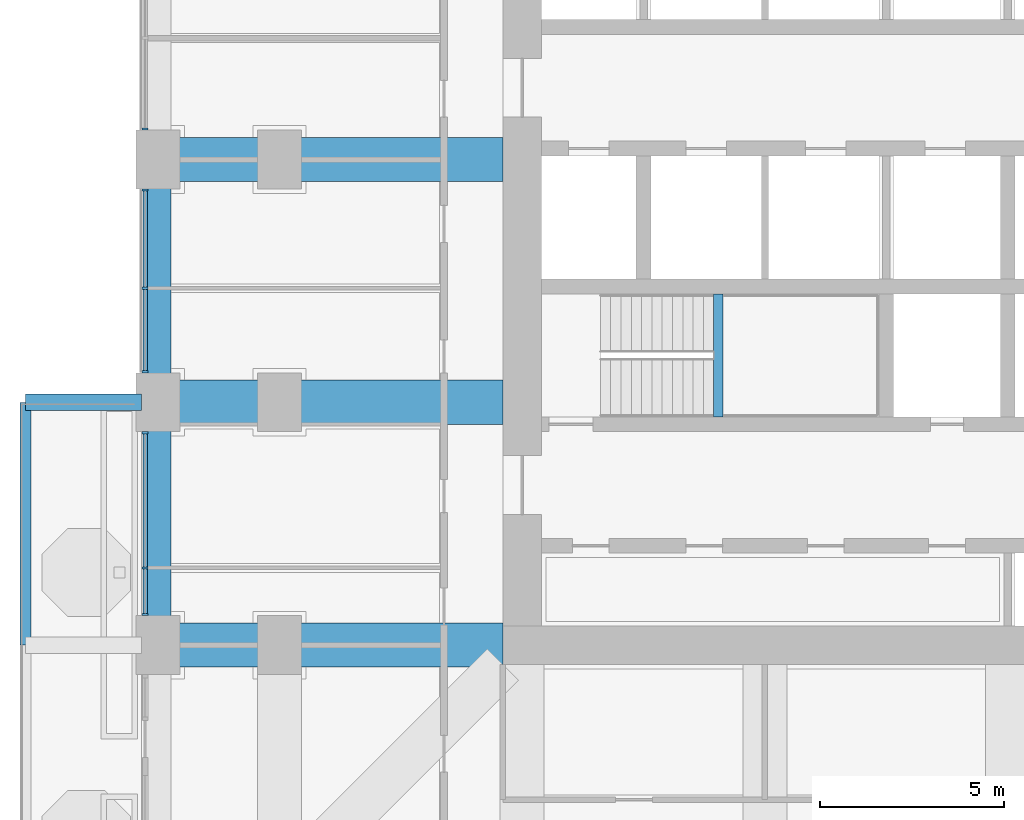
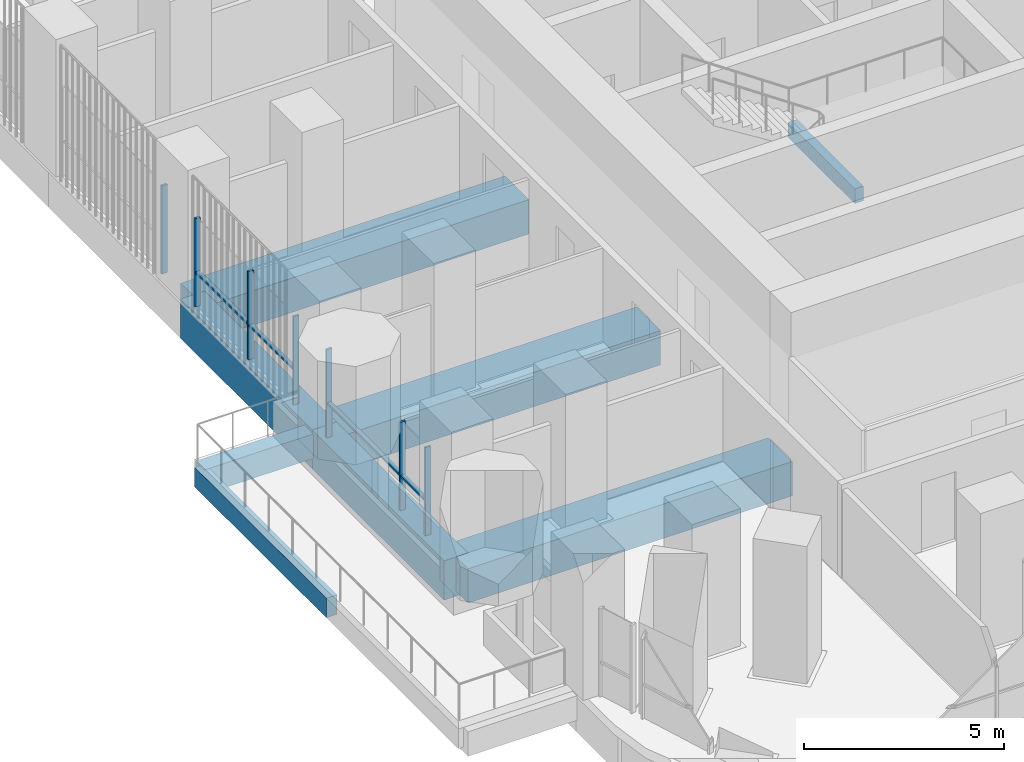
# One storey, part 4 of 21: 11 members, 8 beams, 3 elements without a shape of their own.
"""IFC4 building model written with IfcOpenShell, lengths in metres."""

from ifc_helpers import new_model, si_unit, direction, frame, origin, origin_2d, place, context, subcontext, project, spatial, rectangle, extrude, material, material_profile, profile_set, type_object, element, aggregate, save


model = new_model("IFC4")

# Units and contexts
model_context = context("Model", 3, precision=1e-05, world=origin(), true_north=direction((0.0, 1.0)))
body_context = subcontext(model_context, "Body", "Model", "MODEL_VIEW")
ifc_project = project(units=[si_unit("LENGTHUNIT", "METRE"), si_unit("AREAUNIT", "SQUARE_METRE"), si_unit("VOLUMEUNIT", "CUBIC_METRE"), si_unit("PLANEANGLEUNIT", "RADIAN"), si_unit("MASSUNIT", "GRAM", prefix="KILO")], contexts=[model_context])

# Site, building, storey
site_placement = place(None, origin())
site = spatial("IfcSite", under=ifc_project, at=site_placement, CompositionType="ELEMENT")
building_placement = place(site_placement, origin())
building = spatial("IfcBuilding", under=site, at=building_placement, Name="Cobogo Forest Laboratory Tower", CompositionType="ELEMENT")
storey_placement = place(building_placement, frame((0.0, 0.0, 90.60009765625)))
storey = spatial("IfcBuildingStorey", under=building, at=storey_placement, Name="L20", CompositionType="ELEMENT", Elevation=90.60009765625)

# Beams
ifc_material_1 = material(Name="Concrete HA-40 (C40/50)", Category="concrete")
ifc_material_profile_1 = material_profile(ifc_material_1, rectangle(XDim=0.449951171875, YDim=0.75, at=origin_2d()), Name="RC 450x750")
ifc_profile_set_1 = profile_set([ifc_material_profile_1], Name="Concrete HA-40 (C40/50)")
beam_type_1 = type_object("IfcBeamType", Name="Balcony cantilever beam 450x750", PredefinedType="BEAM", material=ifc_profile_set_1)
beam_1_placement = place(storey_placement, frame((2.85009765625, 19.800048828125, -0.625), z_axis=(-1.0, 0.0, 0.0), x_axis=(0.0, -1.0, 0.0)))
element("IfcBeam", 1, at=beam_1_placement, inside=storey, type_object=beam_type_1, Name="CB1 BAL-W1-C3 L20", PredefinedType="BEAM", context=body_context, shape_type="SweptSolid", body=[
    extrude(rectangle(XDim=0.449951171875, YDim=0.75, at=origin_2d()), origin(), (0.0, 0.0, 1.0), 3.150146484375),
])
ifc_material_profile_2 = material_profile(ifc_material_1, rectangle(XDim=0.300048828125, YDim=0.60009765625, at=origin_2d()), Name="RC 300x600")
ifc_profile_set_2 = profile_set([ifc_material_profile_2], Name="Concrete HA-40 (C40/50)")
beam_type_2 = type_object("IfcBeamType", Name="Balcony edge beam 300x600", PredefinedType="BEAM", material=ifc_profile_set_2)
beam_2_placement = place(storey_placement, frame((-0.300048828125, 13.199951171875, -0.550048828125), z_axis=(0.0, 1.0, 0.0), x_axis=(-1.0, 0.0, 0.0)))
element("IfcBeam", 2, at=beam_2_placement, inside=storey, type_object=beam_type_2, Name="BB1 BAL-W1-T2 L20", PredefinedType="BEAM", context=body_context, shape_type="SweptSolid", body=[
    extrude(rectangle(XDim=0.300048828125, YDim=0.60009765625, at=origin_2d()), origin(), (0.0, 0.0, 1.0), 6.60009765625),
])
ifc_material_profile_3 = material_profile(ifc_material_1, rectangle(XDim=0.25, YDim=0.449951171875, at=origin_2d()), Name="RC 250x450")
ifc_profile_set_3 = profile_set([ifc_material_profile_3], Name="Concrete HA-40 (C40/50)")
beam_type_3 = type_object("IfcBeamType", Name="LB1 landing beam 250x450", PredefinedType="BEAM", material=ifc_profile_set_3)
beam_3_placement = place(storey_placement, frame((18.530029296875, 19.39990234375, 1.6748046875), z_axis=(0.0, 1.0, 0.0), x_axis=(-1.0, 0.0, 0.0)))
element("IfcBeam", 3, at=beam_3_placement, inside=storey, type_object=beam_type_3, Name="Landing beam ST1 L20", PredefinedType="BEAM", context=body_context, shape_type="SweptSolid", body=[
    extrude(rectangle(XDim=0.25, YDim=0.449951171875, at=origin_2d()), origin(), (0.0, 0.0, 1.0), 3.35009765625),
])
ifc_material_profile_4 = material_profile(ifc_material_1, rectangle(XDim=1.199951171875, YDim=1.050048828125, at=origin_2d()), Name="RC 1200x1050")
ifc_profile_set_4 = profile_set([ifc_material_profile_4], Name="Concrete HA-40 (C40/50)")
beam_type_4 = type_object("IfcBeamType", Name="Laboratory floor wide beam 1200x1050", PredefinedType="BEAM", material=ifc_profile_set_4)
for number, where, z_axis, x_axis, name in (
    (4, (12.675048828125, 13.199951171875, -0.8251953125), (-1.0, 0.0, 0.0), (0.0, -1.0, 0.0), "RB1 R-C-W L20"),
    (5, (12.675048828125, 19.800048828125, -0.8251953125), (-1.0, 0.0, 0.0), (0.0, -1.0, 0.0), "RB1 R-D-W L20"),
    (6, (12.675048828125, 26.39990234375, -0.8251953125), (-1.0, 0.0, 0.0), (0.0, -1.0, 0.0), "RB1 R-E-W L20"),
):
    element("IfcBeam", number, at=place(storey_placement, frame(where, z_axis=z_axis, x_axis=x_axis)), inside=storey, type_object=beam_type_4, Name=name, PredefinedType="BEAM", context=body_context, shape_type="SweptSolid", body=[
        extrude(rectangle(XDim=1.199951171875, YDim=1.050048828125, at=origin_2d()), origin(), (0.0, 0.0, 1.0), 9.375),
    ])

# Curtain wall, member
ifc_material_2 = material(Name="Aluminium curtain wall", Category="aluminium")
curtain_wall_type = type_object("IfcCurtainWallType", Name="CW-1 unitised curtain wall, clear glazing, laboratory floors zones A and B", PredefinedType="USERDEFINED", material=ifc_material_2)
curtain_wall_1_placement = place(storey_placement, origin())
curtain_wall_1 = element("IfcCurtainWall", 7, at=curtain_wall_1_placement, inside=storey, type_object=curtain_wall_type, Name="Curtain wall 28 L20", ObjectType="UNITISED CURTAIN WALL", PredefinedType="USERDEFINED")
ifc_material_3 = material(Name="Aluminium mullion", Category="aluminium")
ifc_material_profile_5 = material_profile(ifc_material_3, rectangle(XDim=0.06005859375, YDim=0.159912109375, at=origin_2d()), Name="AL 60x160")
ifc_profile_set_5 = profile_set([ifc_material_profile_5], Name="Aluminium mullion")
member_type_1 = type_object("IfcMemberType", Name="MU-1 aluminium mullion 60x160", PredefinedType="MULLION", material=ifc_profile_set_5)
member_1_placement = place(storey_placement, frame((2.949951171875, 27.22998046875, 0.0), z_axis=(0.0, 0.0, 1.0), x_axis=(0.0, -1.0, 0.0)))
member_1 = element("IfcMember", 8, at=member_1_placement, type_object=member_type_1, Name="CW-1 mullion 3", PredefinedType="MULLION", context=body_context, shape_type="SweptSolid", body=[
    extrude(rectangle(XDim=0.06005859375, YDim=0.159912109375, at=origin_2d()), origin(), (0.0, 0.0, 1.0), 2.699951171875),
])
aggregate(curtain_wall_1, [member_1])

# Curtain wall, members
curtain_wall_2_placement = place(storey_placement, origin())
curtain_wall_2 = element("IfcCurtainWall", 9, at=curtain_wall_2_placement, inside=storey, type_object=curtain_wall_type, Name="Curtain wall 29 L20", ObjectType="UNITISED CURTAIN WALL", PredefinedType="USERDEFINED")
member_2_placement = place(storey_placement, frame((2.949951171875, 25.570068359375, 0.0), z_axis=(0.0, 0.0, 1.0), x_axis=(0.0, -1.0, 0.0)))
member_2 = element("IfcMember", 10, at=member_2_placement, type_object=member_type_1, Name="CW-1 mullion 1", PredefinedType="MULLION", context=body_context, shape_type="SweptSolid", body=[
    extrude(rectangle(XDim=0.06005859375, YDim=0.159912109375, at=origin_2d()), origin(), (0.0, 0.0, 1.0), 2.699951171875),
])
member_3_placement = place(storey_placement, frame((2.949951171875, 22.89990234375, 0.0), z_axis=(0.0, 0.0, 1.0), x_axis=(0.0, -1.0, 0.0)))
member_3 = element("IfcMember", 11, at=member_3_placement, type_object=member_type_1, Name="CW-1 mullion 2", PredefinedType="MULLION", context=body_context, shape_type="SweptSolid", body=[
    extrude(rectangle(XDim=0.06005859375, YDim=0.159912109375, at=origin_2d()), origin(), (0.0, 0.0, 1.0), 2.699951171875),
])
member_4_placement = place(storey_placement, frame((2.949951171875, 20.6298828125, 0.0), z_axis=(0.0, 0.0, 1.0), x_axis=(0.0, -1.0, 0.0)))
member_4 = element("IfcMember", 12, at=member_4_placement, type_object=member_type_1, Name="CW-1 mullion 3", PredefinedType="MULLION", context=body_context, shape_type="SweptSolid", body=[
    extrude(rectangle(XDim=0.06005859375, YDim=0.159912109375, at=origin_2d()), origin(), (0.0, 0.0, 1.0), 2.699951171875),
])

curtain_wall_3_placement = place(storey_placement, origin())
curtain_wall_3 = element("IfcCurtainWall", 13, at=curtain_wall_3_placement, inside=storey, type_object=curtain_wall_type, Name="Curtain wall 30 L20", ObjectType="UNITISED CURTAIN WALL", PredefinedType="USERDEFINED")
member_5_placement = place(storey_placement, frame((2.949951171875, 18.969970703125, 0.0), z_axis=(0.0, 0.0, 1.0), x_axis=(0.0, -1.0, 0.0)))
member_5 = element("IfcMember", 14, at=member_5_placement, type_object=member_type_1, Name="CW-1 mullion 1", PredefinedType="MULLION", context=body_context, shape_type="SweptSolid", body=[
    extrude(rectangle(XDim=0.06005859375, YDim=0.159912109375, at=origin_2d()), origin(), (0.0, 0.0, 1.0), 2.699951171875),
])
member_6_placement = place(storey_placement, frame((2.949951171875, 15.300048828125, 0.0), z_axis=(0.0, 0.0, 1.0), x_axis=(0.0, -1.0, 0.0)))
member_6 = element("IfcMember", 15, at=member_6_placement, type_object=member_type_1, Name="CW-1 mullion 2", PredefinedType="MULLION", context=body_context, shape_type="SweptSolid", body=[
    extrude(rectangle(XDim=0.06005859375, YDim=0.159912109375, at=origin_2d()), origin(), (0.0, 0.0, 1.0), 2.699951171875),
])
member_7_placement = place(storey_placement, frame((2.949951171875, 14.030029296875, 0.0), z_axis=(0.0, 0.0, 1.0), x_axis=(0.0, -1.0, 0.0)))
member_7 = element("IfcMember", 16, at=member_7_placement, type_object=member_type_1, Name="CW-1 mullion 3", PredefinedType="MULLION", context=body_context, shape_type="SweptSolid", body=[
    extrude(rectangle(XDim=0.06005859375, YDim=0.159912109375, at=origin_2d()), origin(), (0.0, 0.0, 1.0), 2.699951171875),
])

# Beams
ifc_material_profile_6 = material_profile(ifc_material_1, rectangle(XDim=0.699951171875, YDim=1.199951171875, at=origin_2d()), Name="RC 700x1200")
ifc_profile_set_6 = profile_set([ifc_material_profile_6], Name="Concrete HA-40 (C40/50)")
beam_type_5 = type_object("IfcBeamType", Name="Perimeter edge beam 700x1200", PredefinedType="BEAM", material=ifc_profile_set_6)
beam_4_placement = place(storey_placement, frame((3.300048828125, 13.199951171875, -0.900146484375), z_axis=(0.0, 1.0, 0.0), x_axis=(-1.0, 0.0, 0.0)))
element("IfcBeam", 17, at=beam_4_placement, inside=storey, type_object=beam_type_5, Name="EB1 E-W2 L20", PredefinedType="BEAM", context=body_context, shape_type="SweptSolid", body=[
    extrude(rectangle(XDim=0.699951171875, YDim=1.199951171875, at=origin_2d()), origin(), (0.0, 0.0, 1.0), 6.60009765625),
])
beam_5_placement = place(storey_placement, frame((3.300048828125, 19.800048828125, -0.900146484375), z_axis=(0.0, 1.0, 0.0), x_axis=(-1.0, 0.0, 0.0)))
element("IfcBeam", 18, at=beam_5_placement, inside=storey, type_object=beam_type_5, Name="EB1 E-W3 L20", PredefinedType="BEAM", context=body_context, shape_type="SweptSolid", body=[
    extrude(rectangle(XDim=0.699951171875, YDim=1.199951171875, at=origin_2d()), origin(), (0.0, 0.0, 1.0), 6.599853515625),
])

# Member
ifc_material_4 = material(Name="Aluminium transom", Category="aluminium")
ifc_material_profile_7 = material_profile(ifc_material_4, rectangle(XDim=0.1201171875, YDim=0.06005859375, at=origin_2d()), Name="AL 60x120")
ifc_profile_set_7 = profile_set([ifc_material_profile_7], Name="Aluminium transom")
member_type_2 = type_object("IfcMemberType", Name="TR-1 aluminium transom 60x120", PredefinedType="USERDEFINED", material=ifc_profile_set_7)
member_8_placement = place(storey_placement, frame((2.949951171875, 25.5400390625, 1.0498046875), z_axis=(0.0, -1.0, 0.0), x_axis=(1.0, 0.0, 0.0)))
member_8 = element("IfcMember", 19, at=member_8_placement, type_object=member_type_2, Name="CW-1 transom 1.1", ObjectType="TRANSOM", PredefinedType="USERDEFINED", context=body_context, shape_type="SweptSolid", body=[
    extrude(rectangle(XDim=0.1201171875, YDim=0.06005859375, at=origin_2d()), origin(), (0.0, 0.0, 1.0), 2.610107421875),
])

member_9_placement = place(storey_placement, frame((2.949951171875, 22.8701171875, 1.0498046875), z_axis=(0.0, -1.0, 0.0), x_axis=(1.0, 0.0, 0.0)))
member_9 = element("IfcMember", 20, at=member_9_placement, type_object=member_type_2, Name="CW-1 transom 2.1", ObjectType="TRANSOM", PredefinedType="USERDEFINED", context=body_context, shape_type="SweptSolid", body=[
    extrude(rectangle(XDim=0.1201171875, YDim=0.06005859375, at=origin_2d()), origin(), (0.0, 0.0, 1.0), 2.210205078125),
])

aggregate(curtain_wall_2, [member_2, member_3, member_4, member_8, member_9])

member_10_placement = place(storey_placement, frame((2.949951171875, 18.93994140625, 1.0498046875), z_axis=(0.0, -1.0, 0.0), x_axis=(1.0, 0.0, 0.0)))
member_10 = element("IfcMember", 21, at=member_10_placement, type_object=member_type_2, Name="CW-1 transom 1.1", ObjectType="TRANSOM", PredefinedType="USERDEFINED", context=body_context, shape_type="SweptSolid", body=[
    extrude(rectangle(XDim=0.1201171875, YDim=0.06005859375, at=origin_2d()), origin(), (0.0, 0.0, 1.0), 3.60986328125),
])

member_11_placement = place(storey_placement, frame((2.949951171875, 15.27001953125, 1.0498046875), z_axis=(0.0, -1.0, 0.0), x_axis=(1.0, 0.0, 0.0)))
member_11 = element("IfcMember", 22, at=member_11_placement, type_object=member_type_2, Name="CW-1 transom 2.1", ObjectType="TRANSOM", PredefinedType="USERDEFINED", context=body_context, shape_type="SweptSolid", body=[
    extrude(rectangle(XDim=0.1201171875, YDim=0.06005859375, at=origin_2d()), origin(), (0.0, 0.0, 1.0), 1.2099609375),
])

aggregate(curtain_wall_3, [member_5, member_6, member_7, member_10, member_11])

save(model, "model.ifc")
